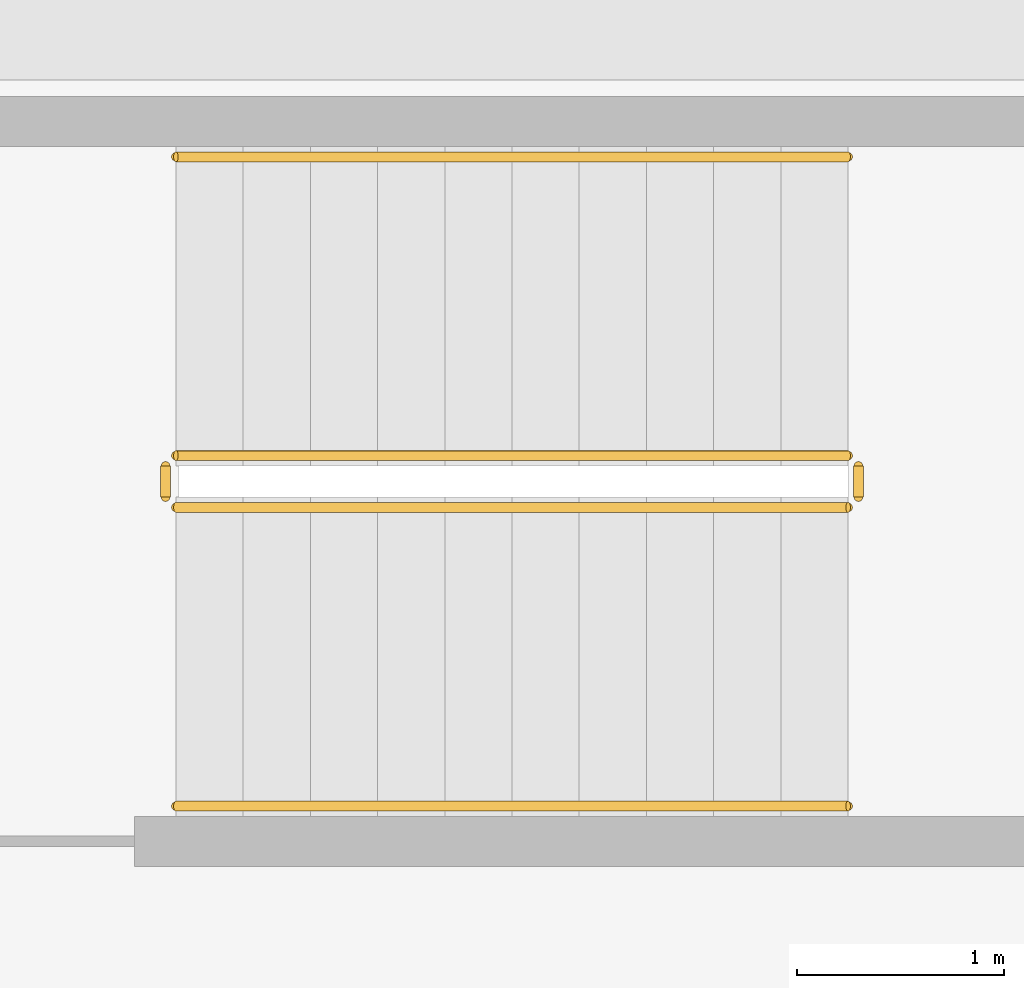
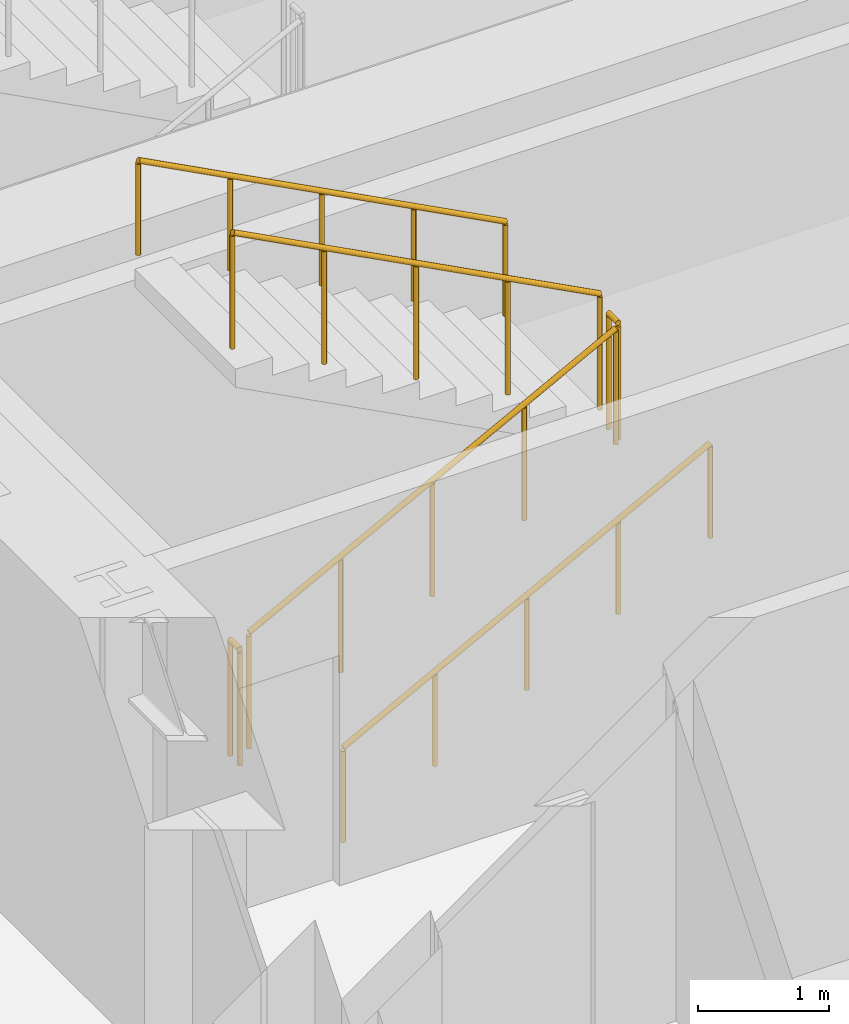
# One storey, part 12 of 15: 6 railings.
"""IFC4 building model written with IfcOpenShell, lengths in metres."""

from ifc_helpers import new_model, si_unit, direction, frame, origin, origin_2d, place, context, subcontext, project, spatial, circle, extrude, material, type_object, element, save


model = new_model("IFC4")

# Units and contexts
model_context = context("Model", 3, precision=1e-05, world=origin(), true_north=direction((0.0, 1.0)))
body_context = subcontext(model_context, "Body", "Model", "MODEL_VIEW")
ifc_project = project(units=[si_unit("LENGTHUNIT", "METRE"), si_unit("AREAUNIT", "SQUARE_METRE"), si_unit("VOLUMEUNIT", "CUBIC_METRE"), si_unit("PLANEANGLEUNIT", "RADIAN"), si_unit("MASSUNIT", "GRAM", prefix="KILO")], contexts=[model_context])

# Site, building, storey
site_placement = place(None, origin())
site = spatial("IfcSite", under=ifc_project, at=site_placement, CompositionType="ELEMENT")
building_placement = place(site_placement, origin())
building = spatial("IfcBuilding", under=site, at=building_placement, Name="Kolvaren Arena Tower", CompositionType="ELEMENT")
storey_placement = place(building_placement, frame((0.0, 0.0, 45.75)))
storey = spatial("IfcBuildingStorey", under=building, at=storey_placement, Name="L08", CompositionType="ELEMENT", Elevation=45.75)

# Railings
ifc_material_1 = material(Name="Painted galvanized steel", Category="steel")
railing_type_1 = type_object("IfcRailingType", Name="GUARD-ST-110", PredefinedType="GUARDRAIL", material=ifc_material_1)
railing_1_placement = place(storey_placement, frame((52.719970703125, 31.639892578125, 0.17041015625)))
element("IfcRailing", 1, at=railing_1_placement, inside=storey, type_object=railing_type_1, Name="L08 ST-E1 stair guard 1", PredefinedType="GUARDRAIL", context=body_context, shape_type="SweptSolid", body=[
    extrude(circle(Radius=0.02392578125, at=origin_2d()), frame((0.0, 0.0, 1.076171875), z_axis=(0.884993431791, 0.0, 0.465603506952), x_axis=(0.0, 1.0, 0.0)), (0.0, 0.0, 1.0), 3.6611328125),
    extrude(circle(Radius=0.02099609375, at=origin_2d()), origin(), (0.0, 0.0, 1.0), 1.052001953125),
    extrude(circle(Radius=0.02099609375, at=origin_2d()), frame((0.81005859375, 0.0, 0.42626953125)), (0.0, 0.0, 1.0), 1.052001953125),
    extrude(circle(Radius=0.02099609375, at=origin_2d()), frame((1.6201171875, 0.0, 0.852294921875)), (0.0, 0.0, 1.0), 1.052001953125),
    extrude(circle(Radius=0.02099609375, at=origin_2d()), frame((2.429931640625, 0.0, 1.2783203125)), (0.0, 0.0, 1.0), 1.052001953125),
    extrude(circle(Radius=0.02099609375, at=origin_2d()), frame((3.239990234375, 0.0, 1.70458984375)), (0.0, 0.0, 1.0), 1.052001953125),
])
railing_2_placement = place(storey_placement, frame((56.010009765625, 31.68994140625, 1.875)))
element("IfcRailing", 2, at=railing_2_placement, inside=storey, type_object=railing_type_1, Name="L08 ST-E1 stair guard 2", PredefinedType="GUARDRAIL", context=body_context, shape_type="SweptSolid", body=[
    extrude(circle(Radius=0.02392578125, at=origin_2d()), frame((0.0, 0.0, 1.076171875), z_axis=(0.0, 1.0, 0.0), x_axis=(-1.0, 0.0, 0.0)), (0.0, 0.0, 1.0), 0.150146484375),
    extrude(circle(Radius=0.02099609375, at=origin_2d()), origin(), (0.0, 0.0, 1.0), 1.052001953125),
    extrude(circle(Radius=0.02099609375, at=origin_2d()), frame((0.0, 0.150146484375, 0.0)), (0.0, 0.0, 1.0), 1.052001953125),
])
railing_3_placement = place(storey_placement, frame((55.9599609375, 31.889892578125, 2.04541015625)))
element("IfcRailing", 3, at=railing_3_placement, inside=storey, type_object=railing_type_1, Name="L08 ST-E1 stair guard 3", PredefinedType="GUARDRAIL", context=body_context, shape_type="SweptSolid", body=[
    extrude(circle(Radius=0.02392578125, at=origin_2d()), frame((0.0, 0.0, 1.076171875), z_axis=(-0.884993431791, 0.0, 0.465603506952), x_axis=(0.0, -1.0, 0.0)), (0.0, 0.0, 1.0), 3.6611328125),
    extrude(circle(Radius=0.02099609375, at=origin_2d()), origin(), (0.0, 0.0, 1.0), 1.052001953125),
    extrude(circle(Radius=0.02099609375, at=origin_2d()), frame((-0.81005859375, 0.0, 0.42626953125)), (0.0, 0.0, 1.0), 1.052001953125),
    extrude(circle(Radius=0.02099609375, at=origin_2d()), frame((-1.6201171875, 0.0, 0.852294921875)), (0.0, 0.0, 1.0), 1.052001953125),
    extrude(circle(Radius=0.02099609375, at=origin_2d()), frame((-2.429931640625, 0.0, 1.2783203125)), (0.0, 0.0, 1.0), 1.052001953125),
    extrude(circle(Radius=0.02099609375, at=origin_2d()), frame((-3.239990234375, 0.0, 1.70458984375)), (0.0, 0.0, 1.0), 1.052001953125),
])
railing_4_placement = place(storey_placement, frame((52.669921875, 31.68994140625, 0.0)))
element("IfcRailing", 4, at=railing_4_placement, inside=storey, type_object=railing_type_1, Name="L08 ST-E1 stair guard 4", PredefinedType="GUARDRAIL", context=body_context, shape_type="SweptSolid", body=[
    extrude(circle(Radius=0.02392578125, at=origin_2d()), frame((0.0, 0.0, 1.076171875), z_axis=(0.0, 1.0, 0.0), x_axis=(-1.0, 0.0, 0.0)), (0.0, 0.0, 1.0), 0.150146484375),
    extrude(circle(Radius=0.02099609375, at=origin_2d()), origin(), (0.0, 0.0, 1.0), 1.052001953125),
    extrude(circle(Radius=0.02099609375, at=origin_2d()), frame((0.0, 0.150146484375, 0.0)), (0.0, 0.0, 1.0), 1.052001953125),
])
ifc_material_2 = material(Name="Brushed stainless steel handrail", Category="steel")
railing_type_2 = type_object("IfcRailingType", Name="HRAIL-900", PredefinedType="HANDRAIL", material=ifc_material_2)
railing_5_placement = place(storey_placement, frame((52.719970703125, 30.199951171875, 0.17041015625)))
element("IfcRailing", 5, at=railing_5_placement, inside=storey, type_object=railing_type_2, Name="L08 ST-E1 stair handrail 1", PredefinedType="HANDRAIL", context=body_context, shape_type="SweptSolid", body=[
    extrude(circle(Radius=0.02392578125, at=origin_2d()), frame((0.0, 0.0, 0.8759765625), z_axis=(0.884993431791, 0.0, 0.465603506952), x_axis=(0.0, 1.0, 0.0)), (0.0, 0.0, 1.0), 3.6611328125),
    extrude(circle(Radius=0.02099609375, at=origin_2d()), origin(), (0.0, 0.0, 1.0), 0.851806640625),
    extrude(circle(Radius=0.02099609375, at=origin_2d()), frame((0.81005859375, 0.0, 0.42626953125)), (0.0, 0.0, 1.0), 0.851806640625),
    extrude(circle(Radius=0.02099609375, at=origin_2d()), frame((1.6201171875, 0.0, 0.852294921875)), (0.0, 0.0, 1.0), 0.851806640625),
    extrude(circle(Radius=0.02099609375, at=origin_2d()), frame((2.429931640625, 0.0, 1.2783203125)), (0.0, 0.0, 1.0), 0.851806640625),
    extrude(circle(Radius=0.02099609375, at=origin_2d()), frame((3.239990234375, 0.0, 1.70458984375)), (0.0, 0.0, 1.0), 0.851806640625),
])
railing_6_placement = place(storey_placement, frame((55.9599609375, 33.330078125, 2.04541015625)))
element("IfcRailing", 6, at=railing_6_placement, inside=storey, type_object=railing_type_2, Name="L08 ST-E1 stair handrail 2", PredefinedType="HANDRAIL", context=body_context, shape_type="SweptSolid", body=[
    extrude(circle(Radius=0.02392578125, at=origin_2d()), frame((0.0, 0.0, 0.8759765625), z_axis=(-0.884993431791, 0.0, 0.465603506952), x_axis=(0.0, -1.0, 0.0)), (0.0, 0.0, 1.0), 3.6611328125),
    extrude(circle(Radius=0.02099609375, at=origin_2d()), origin(), (0.0, 0.0, 1.0), 0.851806640625),
    extrude(circle(Radius=0.02099609375, at=origin_2d()), frame((-0.81005859375, 0.0, 0.42626953125)), (0.0, 0.0, 1.0), 0.851806640625),
    extrude(circle(Radius=0.02099609375, at=origin_2d()), frame((-1.6201171875, 0.0, 0.852294921875)), (0.0, 0.0, 1.0), 0.851806640625),
    extrude(circle(Radius=0.02099609375, at=origin_2d()), frame((-2.429931640625, 0.0, 1.2783203125)), (0.0, 0.0, 1.0), 0.851806640625),
    extrude(circle(Radius=0.02099609375, at=origin_2d()), frame((-3.239990234375, 0.0, 1.70458984375)), (0.0, 0.0, 1.0), 0.851806640625),
])

save(model, "model.ifc")
